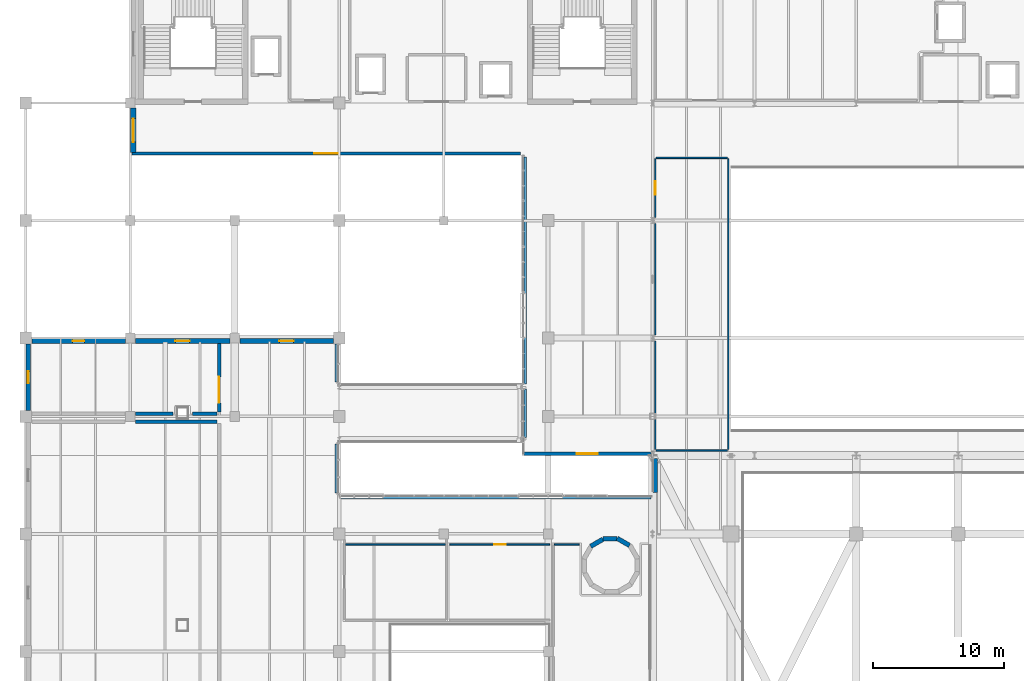
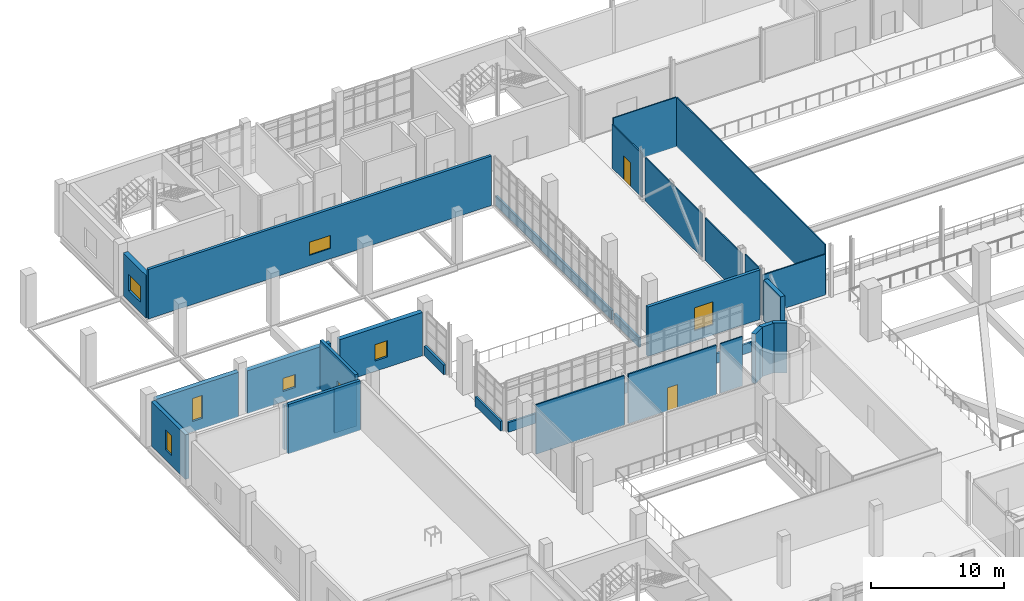
# One storey, part 87 of 100: 30 walls, 7 windows, 3 doors, 10 openings.
"""IFC4 building model written with IfcOpenShell, lengths in metres."""

from ifc_helpers import new_model, si_unit, derived_unit, direction, frame, frame_2d, origin, place, context, subcontext, project, spatial, rectangle, extrude, material, layer, layer_set, type_object, element, fill, save


model = new_model("IFC4")

# Units and contexts
model_context = context("Model", 3, precision=1e-05, world=origin(), true_north=direction((0.0, 1.0)))
body_context = subcontext(model_context, "Body", "Model", "MODEL_VIEW")
ifc_project = project(units=[si_unit("LENGTHUNIT", "METRE"), si_unit("AREAUNIT", "SQUARE_METRE"), si_unit("VOLUMEUNIT", "CUBIC_METRE"), si_unit("PLANEANGLEUNIT", "RADIAN"), si_unit("MASSUNIT", "GRAM", prefix="KILO"), derived_unit("THERMALTRANSMITTANCEUNIT", [(si_unit("POWERUNIT", "WATT"), 1), (si_unit("LENGTHUNIT", "METRE"), -2), (si_unit("THERMODYNAMICTEMPERATUREUNIT", "KELVIN"), -1)])], contexts=[model_context])

# Site, building, storey
site_placement = place(None, origin())
site = spatial("IfcSite", under=ifc_project, at=site_placement, CompositionType="ELEMENT")
building_placement = place(site_placement, origin())
building = spatial("IfcBuilding", under=site, at=building_placement, Name="Nallur Shell Playhouse", CompositionType="ELEMENT")
storey_placement = place(building_placement, frame((0.0, 0.0, 10.199951171875)))
storey = spatial("IfcBuildingStorey", under=building, at=storey_placement, Name="L03", CompositionType="ELEMENT", Elevation=10.199951171875)

# Walls
ifc_material_1 = material(Name="Concrete M45", Category="concrete")
ifc_layer_1 = layer(ifc_material_1, 0.39990234375)
ifc_layer_set_1 = layer_set([ifc_layer_1], Name="Concrete M45")
wall_type_1 = type_object("IfcWallType", Name="WL-CORE-400", PredefinedType="SHEAR", material=ifc_layer_set_1)
for number, where, z_axis, x_axis, name in (
    (1, (62.23291015625, 40.114990234375, 0.0), (0.0, 0.0, 1.0), (-0.866062834654, 0.499935162227, 0.0), "Metabolist service drum DR-1 facet 2 (L03)"),
    (2, (61.283447265625, 40.62841796875, 0.0), (0.0, 0.0, 1.0), (-1.0, 0.0, 0.0), "Metabolist service drum DR-1 facet 3 (L03)"),
    (3, (60.20458984375, 40.598388671875, 0.0), (0.0, 0.0, 1.0), (-0.86611865017, -0.499838457731, 0.0), "Metabolist service drum DR-1 facet 4 (L03)"),
):
    element("IfcWall", number, at=place(storey_placement, frame(where, z_axis=z_axis, x_axis=x_axis)), inside=storey, type_object=wall_type_1, Name=name, PredefinedType="SHEAR", context=body_context, shape_type="SweptSolid", body=[
        extrude(rectangle(XDim=1.093017578125, YDim=0.35009765625, at=frame_2d((0.54638671875, 0.0))), origin(), (0.0, 0.0, 1.0), 4.5400390625),
    ])
ifc_material_2 = material(Name="Concrete M35", Category="concrete")
ifc_layer_2 = layer(ifc_material_2, 0.35009765625)
ifc_layer_set_2 = layer_set([ifc_layer_2], Name="Concrete M35")
wall_type_2 = type_object("IfcWallType", Name="WL-EXT-AC350", PredefinedType="STANDARD", material=ifc_layer_set_2)
wall_1_placement = place(storey_placement, frame((64.195068359375, 44.18505859375, 0.0), z_axis=(0.0, 0.0, 1.0), x_axis=(0.0, 1.0, 0.0)))
element("IfcWall", 4, at=wall_1_placement, inside=storey, type_object=wall_type_2, Name="L03 exterior wall EW-L03-127", PredefinedType="STANDARD", context=body_context, shape_type="SweptSolid", body=[
    extrude(rectangle(XDim=2.58203125, YDim=0.35009765625, at=frame_2d((1.291015625, 0.0))), origin(), (0.0, 0.0, 1.0), 3.72509765625),
])

# Wall, opening, window
ifc_material_3 = material(Name="Precast concrete M40", Category="concrete")
ifc_layer_3 = layer(ifc_material_3, 0.239990234375)
ifc_layer_set_3 = layer_set([ifc_layer_3], Name="Precast concrete M40")
wall_type_3 = type_object("IfcWallType", Name="WL-EXT-CLAD240", PredefinedType="ELEMENTEDWALL", material=ifc_layer_set_3)
wall_2_placement = place(storey_placement, frame((53.8701171875, 70.139892578125, 0.0), z_axis=(0.0, 0.0, 1.0), x_axis=(-1.0, 0.0, 0.0)))
wall_2 = element("IfcWall", 5, at=wall_2_placement, inside=storey, type_object=wall_type_3, Name="L03 exterior wall EW-L03-129", PredefinedType="ELEMENTEDWALL", context=body_context, shape_type="SweptSolid", body=[
    extrude(rectangle(XDim=29.740234375, YDim=0.239990234375, at=frame_2d((14.8701171875, 0.0))), origin(), (0.0, 0.0, 1.0), 4.5400390625),
])
opening_1_placement = place(wall_2_placement, frame((13.969970703125, 0.0, 0.949951171875)))
opening_1 = element("IfcOpeningElement", 6, at=opening_1_placement, cuts=wall_2, Name="Opening WN-21", PredefinedType="OPENING", context=body_context, shape_type="SweptSolid", body=[
    extrude(rectangle(XDim=1.800048828125, YDim=1.199951171875, at=frame_2d((0.89990234375, 0.60009765625))), frame((0.0, 0.1298828125, 0.0), z_axis=(0.0, -1.0, 0.0), x_axis=(1.0, 0.0, 0.0)), (0.0, 0.0, 1.0), 0.260009765625),
])
ifc_material_4 = material(Name="Thermally Broken Aluminium Acoustic Double-Glazed Window", Category="aluminium")
window_type_1 = type_object("IfcWindowType", Name="WN-TYPE-21", PartitioningType="SINGLE_PANEL", PredefinedType="WINDOW", material=ifc_material_4)
window_1_placement = place(opening_1_placement, origin())
window_1 = element("IfcWindow", 7, at=window_1_placement, inside=storey, type_object=window_type_1, Name="L03 facade module window 053", OverallHeight=1.199951171875, OverallWidth=1.800048828125, PartitioningType="SINGLE_PANEL", PredefinedType="WINDOW", context=body_context, shape_type="SweptSolid", body=[
    extrude(rectangle(XDim=1.800048828125, YDim=1.199951171875, at=frame_2d((0.89990234375, 0.60009765625))), frame((0.0, 0.030029296875, 0.0), z_axis=(0.0, -1.0, 0.0), x_axis=(1.0, 0.0, 0.0)), (0.0, 0.0, 1.0), 0.06005859375),
])
fill(opening_1, window_1)

ifc_layer_4 = layer(ifc_material_3, 0.260009765625)
ifc_layer_set_4 = layer_set([ifc_layer_4], Name="Precast concrete M40")
wall_type_4 = type_object("IfcWallType", Name="WL-EXT-CLAD260", PredefinedType="ELEMENTEDWALL", material=ifc_layer_set_4)
wall_3_placement = place(storey_placement, frame((63.8759765625, 47.14990234375, 0.0), z_axis=(0.0, 0.0, 1.0), x_axis=(-1.0, 0.0, 0.0)))
wall_3 = element("IfcWall", 8, at=wall_3_placement, inside=storey, type_object=wall_type_4, Name="L03 exterior wall EW-L03-128", PredefinedType="ELEMENTEDWALL", context=body_context, shape_type="SweptSolid", body=[
    extrude(rectangle(XDim=9.736083984375, YDim=0.260009765625, at=frame_2d((4.8681640625, 0.0))), origin(), (0.0, 0.0, 1.0), 4.5400390625),
])
opening_2_placement = place(wall_3_placement, frame((4.075927734375, 0.0, 0.949951171875)))
opening_2 = element("IfcOpeningElement", 9, at=opening_2_placement, cuts=wall_3, Name="Opening WN-20", PredefinedType="OPENING", context=body_context, shape_type="SweptSolid", body=[
    extrude(rectangle(XDim=1.60009765625, YDim=2.10009765625, at=frame_2d((0.800048828125, 1.050048828125))), frame((0.0, 0.14013671875, 0.0), z_axis=(0.0, -1.0, 0.0), x_axis=(1.0, 0.0, 0.0)), (0.0, 0.0, 1.0), 0.280029296875),
])
window_type_2 = type_object("IfcWindowType", Name="WN-TYPE-20", PartitioningType="SINGLE_PANEL", PredefinedType="WINDOW", material=ifc_material_4)
window_2_placement = place(opening_2_placement, origin())
window_2 = element("IfcWindow", 10, at=window_2_placement, inside=storey, type_object=window_type_2, Name="L03 facade module window 052", OverallHeight=2.10009765625, OverallWidth=1.60009765625, PartitioningType="SINGLE_PANEL", PredefinedType="WINDOW", context=body_context, shape_type="SweptSolid", body=[
    extrude(rectangle(XDim=1.60009765625, YDim=2.10009765625, at=frame_2d((0.800048828125, 1.050048828125))), frame((0.0, 0.030029296875, 0.0), z_axis=(0.0, -1.0, 0.0), x_axis=(1.0, 0.0, 0.0)), (0.0, 0.0, 1.0), 0.06005859375),
])
fill(opening_2, window_2)

ifc_layer_5 = layer(ifc_material_2, 0.320068359375)
ifc_layer_set_5 = layer_set([ifc_layer_5], Name="Concrete M35")
wall_type_5 = type_object("IfcWallType", Name="WL-EXT-RC320", PredefinedType="STANDARD", material=ifc_layer_set_5)
wall_4_placement = place(storey_placement, frame((16.179931640625, 50.4580078125, 0.0), z_axis=(0.0, 0.0, 1.0), x_axis=(0.0, 1.0, 0.0)))
wall_4 = element("IfcWall", 11, at=wall_4_placement, inside=storey, type_object=wall_type_5, Name="L03 exterior wall EW-L03-165", PredefinedType="STANDARD", context=body_context, shape_type="SweptSolid", body=[
    extrude(rectangle(XDim=5.083984375, YDim=0.320068359375, at=frame_2d((2.5419921875, 0.0))), origin(), (0.0, 0.0, 1.0), 4.074951171875),
])
opening_3_placement = place(wall_4_placement, frame((2.092041015625, 0.0, 0.949951171875)))
opening_3 = element("IfcOpeningElement", 12, at=opening_3_placement, cuts=wall_4, Name="Opening WN-03", PredefinedType="OPENING", context=body_context, shape_type="SweptSolid", body=[
    extrude(rectangle(XDim=0.89990234375, YDim=1.800048828125, at=frame_2d((0.449951171875, 0.89990234375))), frame((0.0, 0.169921875, 0.0), z_axis=(0.0, -1.0, 0.0), x_axis=(1.0, 0.0, 0.0)), (0.0, 0.0, 1.0), 0.340087890625),
])
window_type_3 = type_object("IfcWindowType", Name="WN-TYPE-03", PartitioningType="SINGLE_PANEL", PredefinedType="WINDOW", material=ifc_material_4)
window_3_placement = place(opening_3_placement, origin())
window_3 = element("IfcWindow", 13, at=window_3_placement, inside=storey, type_object=window_type_3, Name="L03 facade module window 067", OverallHeight=1.800048828125, OverallWidth=0.89990234375, PartitioningType="SINGLE_PANEL", PredefinedType="WINDOW", context=body_context, shape_type="SweptSolid", body=[
    extrude(rectangle(XDim=0.89990234375, YDim=1.800048828125, at=frame_2d((0.449951171875, 0.89990234375))), frame((0.0, 0.030029296875, 0.0), z_axis=(0.0, -1.0, 0.0), x_axis=(1.0, 0.0, 0.0)), (0.0, 0.0, 1.0), 0.06005859375),
])
fill(opening_3, window_3)

ifc_material_5 = material(Name="Concrete M40", Category="concrete")
ifc_layer_6 = layer(ifc_material_5, 0.39990234375)
ifc_layer_set_6 = layer_set([ifc_layer_6], Name="Concrete M40")
wall_type_6 = type_object("IfcWallType", Name="WL-EXT-RC400", PredefinedType="STANDARD", material=ifc_layer_set_6)
wall_5_placement = place(storey_placement, frame((24.219970703125, 70.2099609375, 0.0), z_axis=(0.0, 0.0, 1.0), x_axis=(0.0, 1.0, 0.0)))
wall_5 = element("IfcWall", 14, at=wall_5_placement, inside=storey, type_object=wall_type_6, Name="L03 exterior wall EW-L03-130", PredefinedType="STANDARD", context=body_context, shape_type="SweptSolid", body=[
    extrude(rectangle(XDim=3.406982421875, YDim=0.39990234375, at=frame_2d((1.70361328125, 0.0))), origin(), (0.0, 0.0, 1.0), 3.925048828125),
])
opening_4_placement = place(wall_5_placement, frame((0.803955078125, 0.0, 0.949951171875)))
opening_4 = element("IfcOpeningElement", 15, at=opening_4_placement, cuts=wall_5, Name="Opening WN-22", PredefinedType="OPENING", context=body_context, shape_type="SweptSolid", body=[
    extrude(rectangle(XDim=1.800048828125, YDim=1.5, at=frame_2d((0.89990234375, 0.75))), frame((0.0, 0.2099609375, 0.0), z_axis=(0.0, -1.0, 0.0), x_axis=(1.0, 0.0, 0.0)), (0.0, 0.0, 1.0), 0.419921875),
])
window_type_4 = type_object("IfcWindowType", Name="WN-TYPE-22", PartitioningType="SINGLE_PANEL", PredefinedType="WINDOW", material=ifc_material_4)
window_4_placement = place(opening_4_placement, origin())
window_4 = element("IfcWindow", 16, at=window_4_placement, inside=storey, type_object=window_type_4, Name="L03 facade module window 054", OverallHeight=1.5, OverallWidth=1.800048828125, PartitioningType="SINGLE_PANEL", PredefinedType="WINDOW", context=body_context, shape_type="SweptSolid", body=[
    extrude(rectangle(XDim=1.800048828125, YDim=1.5, at=frame_2d((0.89990234375, 0.75))), frame((0.0, 0.030029296875, 0.0), z_axis=(0.0, -1.0, 0.0), x_axis=(1.0, 0.0, 0.0)), (0.0, 0.0, 1.0), 0.06005859375),
])
fill(opening_4, window_4)

wall_6_placement = place(storey_placement, frame((16.4580078125, 55.780029296875, 0.0), z_axis=(0.0, 0.0, 1.0), x_axis=(1.0, 0.0, 0.0)))
wall_6 = element("IfcWall", 17, at=wall_6_placement, inside=storey, type_object=wall_type_6, Name="L03 exterior wall EW-L03-166", PredefinedType="STANDARD", context=body_context, shape_type="SweptSolid", body=[
    extrude(rectangle(XDim=7.158935546875, YDim=0.39990234375, at=frame_2d((3.57958984375, 0.0))), origin(), (0.0, 0.0, 1.0), 4.074951171875),
])
opening_5_placement = place(wall_6_placement, frame((3.1298828125, 0.0, 0.949951171875)))
opening_5 = element("IfcOpeningElement", 18, at=opening_5_placement, cuts=wall_6, Name="Opening WN-04", PredefinedType="OPENING", context=body_context, shape_type="SweptSolid", body=[
    extrude(rectangle(XDim=0.89990234375, YDim=2.10009765625, at=frame_2d((0.449951171875, 1.050048828125))), frame((0.0, 0.2099609375, 0.0), z_axis=(0.0, -1.0, 0.0), x_axis=(1.0, 0.0, 0.0)), (0.0, 0.0, 1.0), 0.419921875),
])
window_type_5 = type_object("IfcWindowType", Name="WN-TYPE-04", PartitioningType="SINGLE_PANEL", PredefinedType="WINDOW", material=ifc_material_4)
window_5_placement = place(opening_5_placement, origin())
window_5 = element("IfcWindow", 19, at=window_5_placement, inside=storey, type_object=window_type_5, Name="L03 facade module window 068", OverallHeight=2.10009765625, OverallWidth=0.89990234375, PartitioningType="SINGLE_PANEL", PredefinedType="WINDOW", context=body_context, shape_type="SweptSolid", body=[
    extrude(rectangle(XDim=0.89990234375, YDim=2.10009765625, at=frame_2d((0.449951171875, 1.050048828125))), frame((0.0, 0.030029296875, 0.0), z_axis=(0.0, -1.0, 0.0), x_axis=(1.0, 0.0, 0.0)), (0.0, 0.0, 1.0), 0.06005859375),
])
fill(opening_5, window_5)

wall_7_placement = place(storey_placement, frame((24.383056640625, 55.780029296875, 0.0), z_axis=(0.0, 0.0, 1.0), x_axis=(1.0, 0.0, 0.0)))
wall_7 = element("IfcWall", 20, at=wall_7_placement, inside=storey, type_object=wall_type_6, Name="L03 exterior wall EW-L03-167", PredefinedType="STANDARD", context=body_context, shape_type="SweptSolid", body=[
    extrude(rectangle(XDim=7.23388671875, YDim=0.39990234375, at=frame_2d((3.616943359375, 0.0))), origin(), (0.0, 0.0, 1.0), 3.925048828125),
])
opening_6_placement = place(wall_7_placement, frame((3.06689453125, 0.0, 0.949951171875)))
opening_6 = element("IfcOpeningElement", 21, at=opening_6_placement, cuts=wall_7, Name="Opening WN-05", PredefinedType="OPENING", context=body_context, shape_type="SweptSolid", body=[
    extrude(rectangle(XDim=1.10009765625, YDim=1.199951171875, at=frame_2d((0.550048828125, 0.60009765625))), frame((0.0, 0.2099609375, 0.0), z_axis=(0.0, -1.0, 0.0), x_axis=(1.0, 0.0, 0.0)), (0.0, 0.0, 1.0), 0.419921875),
])
window_type_6 = type_object("IfcWindowType", Name="WN-TYPE-05", PartitioningType="SINGLE_PANEL", PredefinedType="WINDOW", material=ifc_material_4)
window_6_placement = place(opening_6_placement, origin())
window_6 = element("IfcWindow", 22, at=window_6_placement, inside=storey, type_object=window_type_6, Name="L03 facade module window 069", OverallHeight=1.199951171875, OverallWidth=1.10009765625, PartitioningType="SINGLE_PANEL", PredefinedType="WINDOW", context=body_context, shape_type="SweptSolid", body=[
    extrude(rectangle(XDim=1.10009765625, YDim=1.199951171875, at=frame_2d((0.550048828125, 0.60009765625))), frame((0.0, 0.030029296875, 0.0), z_axis=(0.0, -1.0, 0.0), x_axis=(1.0, 0.0, 0.0)), (0.0, 0.0, 1.0), 0.06005859375),
])
fill(opening_6, window_6)

wall_8_placement = place(storey_placement, frame((32.383056640625, 55.780029296875, 0.0), z_axis=(0.0, 0.0, 1.0), x_axis=(1.0, 0.0, 0.0)))
wall_8 = element("IfcWall", 23, at=wall_8_placement, inside=storey, type_object=wall_type_6, Name="L03 exterior wall EW-L03-168", PredefinedType="STANDARD", context=body_context, shape_type="SweptSolid", body=[
    extrude(rectangle(XDim=7.158935546875, YDim=0.39990234375, at=frame_2d((3.57958984375, 0.0))), origin(), (0.0, 0.0, 1.0), 3.97509765625),
])
opening_7_placement = place(wall_8_placement, frame((3.029052734375, 0.0, 0.949951171875)))
opening_7 = element("IfcOpeningElement", 24, at=opening_7_placement, cuts=wall_8, Name="Opening WN-06", PredefinedType="OPENING", context=body_context, shape_type="SweptSolid", body=[
    extrude(rectangle(XDim=1.10009765625, YDim=1.5, at=frame_2d((0.550048828125, 0.75))), frame((0.0, 0.2099609375, 0.0), z_axis=(0.0, -1.0, 0.0), x_axis=(1.0, 0.0, 0.0)), (0.0, 0.0, 1.0), 0.419921875),
])
window_type_7 = type_object("IfcWindowType", Name="WN-TYPE-06", PartitioningType="SINGLE_PANEL", PredefinedType="WINDOW", material=ifc_material_4)
window_7_placement = place(opening_7_placement, origin())
window_7 = element("IfcWindow", 25, at=window_7_placement, inside=storey, type_object=window_type_7, Name="L03 facade module window 070", OverallHeight=1.5, OverallWidth=1.10009765625, PartitioningType="SINGLE_PANEL", PredefinedType="WINDOW", context=body_context, shape_type="SweptSolid", body=[
    extrude(rectangle(XDim=1.10009765625, YDim=1.5, at=frame_2d((0.550048828125, 0.75))), frame((0.0, 0.030029296875, 0.0), z_axis=(0.0, -1.0, 0.0), x_axis=(1.0, 0.0, 0.0)), (0.0, 0.0, 1.0), 0.06005859375),
])
fill(opening_7, window_7)

# Walls
ifc_layer_7 = layer(ifc_material_2, 0.179931640625)
ifc_layer_set_7 = layer_set([ifc_layer_7], Name="Concrete M35")
wall_type_7 = type_object("IfcWallType", Name="WL-PARAPET-180", PredefinedType="PARAPET", material=ifc_layer_set_7)
wall_9_placement = place(storey_placement, frame((39.760009765625, 47.8798828125, 0.0), z_axis=(0.0, 0.0, 1.0), x_axis=(0.0, -1.0, 0.0)))
element("IfcWall", 26, at=wall_9_placement, inside=storey, type_object=wall_type_7, Name="L03 curtain-wall internal spandrel upstand 029", PredefinedType="PARAPET", context=body_context, shape_type="SweptSolid", body=[
    extrude(rectangle(XDim=3.759765625, YDim=0.179931640625, at=frame_2d((1.8798828125, 0.0))), origin(), (0.0, 0.0, 1.0), 0.880126953125),
])
wall_10_placement = place(storey_placement, frame((40.1201171875, 43.760009765625, 0.0), z_axis=(0.0, 0.0, 1.0), x_axis=(1.0, 0.0, 0.0)))
element("IfcWall", 27, at=wall_10_placement, inside=storey, type_object=wall_type_7, Name="L03 curtain-wall internal spandrel upstand 030", PredefinedType="PARAPET", context=body_context, shape_type="SweptSolid", body=[
    extrude(rectangle(XDim=23.759765625, YDim=0.179931640625, at=frame_2d((11.8798828125, 0.0))), origin(), (0.0, 0.0, 1.0), 0.880126953125),
])
wall_11_placement = place(storey_placement, frame((54.239990234375, 48.385009765625, 0.0), z_axis=(0.0, 0.0, 1.0), x_axis=(0.0, 1.0, 0.0)))
element("IfcWall", 28, at=wall_11_placement, inside=storey, type_object=wall_type_7, Name="L03 curtain-wall internal spandrel upstand 031", PredefinedType="PARAPET", context=body_context, shape_type="SweptSolid", body=[
    extrude(rectangle(XDim=3.72998046875, YDim=0.179931640625, at=frame_2d((1.864990234375, 0.0))), origin(), (0.0, 0.0, 1.0), 0.880126953125),
])
wall_12_placement = place(storey_placement, frame((54.239990234375, 52.485107421875, 0.0), z_axis=(0.0, 0.0, 1.0), x_axis=(0.0, 1.0, 0.0)))
element("IfcWall", 29, at=wall_12_placement, inside=storey, type_object=wall_type_7, Name="L03 curtain-wall internal spandrel upstand 032", PredefinedType="PARAPET", context=body_context, shape_type="SweptSolid", body=[
    extrude(rectangle(XDim=17.394775390625, YDim=0.179931640625, at=frame_2d((8.697265625, 0.0))), origin(), (0.0, 0.0, 1.0), 0.880126953125),
])
wall_13_placement = place(storey_placement, frame((39.760009765625, 55.5400390625, 0.0), z_axis=(0.0, 0.0, 1.0), x_axis=(0.0, -1.0, 0.0)))
element("IfcWall", 30, at=wall_13_placement, inside=storey, type_object=wall_type_7, Name="L03 curtain-wall internal spandrel upstand 043", PredefinedType="PARAPET", context=body_context, shape_type="SweptSolid", body=[
    extrude(rectangle(XDim=2.919921875, YDim=0.179931640625, at=frame_2d((1.4599609375, 0.0))), origin(), (0.0, 0.0, 1.0), 0.880126953125),
])
ifc_material_6 = material(Name="Concrete M30", Category="concrete")
ifc_layer_8 = layer(ifc_material_6, 0.25)
ifc_layer_set_8 = layer_set([ifc_layer_8], Name="Concrete M30")
wall_type_8 = type_object("IfcWallType", Name="WL-PART-AC250", PredefinedType="PARTITIONING", material=ifc_layer_set_8)
wall_14_placement = place(storey_placement, frame((24.389892578125, 49.60009765625, 0.0), z_axis=(0.0, 0.0, 1.0), x_axis=(1.0, 0.0, 0.0)))
element("IfcWall", 31, at=wall_14_placement, inside=storey, type_object=wall_type_8, Name="200-Seat Flexible Black-Box Experimental Theatre partition IW-L03-0217", PredefinedType="PARTITIONING", context=body_context, shape_type="SweptSolid", body=[
    extrude(rectangle(XDim=6.26513671875, YDim=0.25, at=frame_2d((3.132568359375, 0.0))), origin(), (0.0, 0.0, 1.0), 4.530029296875),
])

# Wall, opening, door
wall_15_placement = place(storey_placement, frame((30.800048828125, 55.575927734375, 0.0), z_axis=(0.0, 0.0, 1.0), x_axis=(0.0, -1.0, 0.0)))
wall_15 = element("IfcWall", 32, at=wall_15_placement, inside=storey, type_object=wall_type_8, Name="Black-Box Rostra & Rigging Store partition IW-L03-0221", PredefinedType="PARTITIONING", context=body_context, shape_type="SweptSolid", body=[
    extrude(rectangle(XDim=5.23095703125, YDim=0.25, at=frame_2d((2.615478515625, 0.0))), origin(), (0.0, 0.0, 1.0), 4.530029296875),
])
opening_8_placement = place(wall_15_placement, frame((2.547119140625, 0.0, 0.0)))
opening_8 = element("IfcOpeningElement", 33, at=opening_8_placement, cuts=wall_15, Name="Opening AD-01", PredefinedType="OPENING", context=body_context, shape_type="SweptSolid", body=[
    extrude(rectangle(XDim=2.0, YDim=2.35009765625, at=frame_2d((1.0, 1.175048828125))), frame((0.0, 0.135009765625, 0.0), z_axis=(0.0, -1.0, 0.0), x_axis=(1.0, 0.0, 0.0)), (0.0, 0.0, 1.0), 0.27001953125),
])
ifc_material_7 = material(Name="Acoustic Timber Sound-Lock Double Door", Category="wood")
door_type_1 = type_object("IfcDoorType", Name="DR-INT-AUD-DBL", OperationType="DOUBLE_SWING_LEFT", PredefinedType="DOOR", material=ifc_material_7)
door_1_placement = place(opening_8_placement, origin())
door_1 = element("IfcDoor", 34, at=door_1_placement, inside=storey, type_object=door_type_1, Name="Black-Box Rostra & Rigging Store door 1", OperationType="DOUBLE_SWING_LEFT", OverallHeight=2.35009765625, OverallWidth=2.0, PredefinedType="DOOR", context=body_context, shape_type="SweptSolid", body=[
    extrude(rectangle(XDim=2.0, YDim=2.35009765625, at=frame_2d((1.0, 1.175048828125))), frame((0.0, 0.02490234375, 0.0), z_axis=(0.0, -1.0, 0.0), x_axis=(1.0, 0.0, 0.0)), (0.0, 0.0, 1.0), 0.050048828125),
])
fill(opening_8, door_1)

# Walls
wall_16_placement = place(storey_placement, frame((30.655029296875, 50.199951171875, 0.0), z_axis=(0.0, 0.0, 1.0), x_axis=(-1.0, 0.0, 0.0)))
element("IfcWall", 35, at=wall_16_placement, inside=storey, type_object=wall_type_8, Name="Black-Box Rostra & Rigging Store partition IW-L03-0222", PredefinedType="PARTITIONING", context=body_context, shape_type="SweptSolid", body=[
    extrude(rectangle(XDim=1.909912109375, YDim=0.25, at=frame_2d((0.955078125, 0.0))), origin(), (0.0, 0.0, 1.0), 4.070068359375),
])
wall_17_placement = place(storey_placement, frame((27.2548828125, 50.199951171875, 0.0), z_axis=(0.0, 0.0, 1.0), x_axis=(-1.0, 0.0, 0.0)))
element("IfcWall", 36, at=wall_17_placement, inside=storey, type_object=wall_type_8, Name="Black-Box Rostra & Rigging Store partition IW-L03-0223", PredefinedType="PARTITIONING", context=body_context, shape_type="SweptSolid", body=[
    extrude(rectangle(XDim=2.864990234375, YDim=0.25, at=frame_2d((1.4326171875, 0.0))), origin(), (0.0, 0.0, 1.0), 4.070068359375),
])
ifc_material_8 = material(Name="Double-Layer Fire-Rated Gypsum Stud Partition")
ifc_layer_9 = layer(ifc_material_8, 0.10009765625)
ifc_layer_set_9 = layer_set([ifc_layer_9], Name="Double-Layer Fire-Rated Gypsum Stud Partition")
wall_type_9 = type_object("IfcWallType", Name="WL-PART-DRY100", PredefinedType="PARTITIONING", material=ifc_layer_set_9)
wall_18_placement = place(storey_placement, frame((56.469970703125, 40.199951171875, 0.0), z_axis=(0.0, 0.0, 1.0), x_axis=(1.0, 0.0, 0.0)))
element("IfcWall", 37, at=wall_18_placement, inside=storey, type_object=wall_type_9, Name="Dress Circle Lounge Bar partition IW-L03-0234", PredefinedType="PARTITIONING", context=body_context, shape_type="SweptSolid", body=[
    extrude(rectangle(XDim=1.909912109375, YDim=0.10009765625, at=frame_2d((0.955078125, 0.0))), origin(), (0.0, 0.0, 1.0), 4.530029296875),
])
wall_19_placement = place(storey_placement, frame((64.27001953125, 69.800048828125, 0.0), z_axis=(0.0, 0.0, 1.0), x_axis=(1.0, 0.0, 0.0)))
element("IfcWall", 38, at=wall_19_placement, inside=storey, type_object=wall_type_9, Name="Stage Fly Gallery & Counterweight Lock Deck partition IW-L03-0243", PredefinedType="PARTITIONING", context=body_context, shape_type="SweptSolid", body=[
    extrude(rectangle(XDim=5.4599609375, YDim=0.10009765625, at=frame_2d((2.72998046875, 0.0))), origin(), (0.0, 0.0, 1.0), 4.530029296875),
])
wall_20_placement = place(storey_placement, frame((69.800048828125, 69.72998046875, 0.0), z_axis=(0.0, 0.0, 1.0), x_axis=(0.0, -1.0, 0.0)))
element("IfcWall", 39, at=wall_20_placement, inside=storey, type_object=wall_type_9, Name="Stage Fly Gallery & Counterweight Lock Deck partition IW-L03-0244", PredefinedType="PARTITIONING", context=body_context, shape_type="SweptSolid", body=[
    extrude(rectangle(XDim=22.260009765625, YDim=0.10009765625, at=frame_2d((11.1298828125, 0.0))), origin(), (0.0, 0.0, 1.0), 4.530029296875),
])
wall_21_placement = place(storey_placement, frame((69.72998046875, 47.39990234375, 0.0), z_axis=(0.0, 0.0, 1.0), x_axis=(-1.0, 0.0, 0.0)))
element("IfcWall", 40, at=wall_21_placement, inside=storey, type_object=wall_type_9, Name="Stage Fly Gallery & Counterweight Lock Deck partition IW-L03-0245", PredefinedType="PARTITIONING", context=body_context, shape_type="SweptSolid", body=[
    extrude(rectangle(XDim=5.4599609375, YDim=0.10009765625, at=frame_2d((2.72998046875, 0.0))), origin(), (0.0, 0.0, 1.0), 3.719970703125),
])
wall_22_placement = place(storey_placement, frame((64.199951171875, 47.469970703125, 0.0), z_axis=(0.0, 0.0, 1.0), x_axis=(0.0, 1.0, 0.0)))
element("IfcWall", 41, at=wall_22_placement, inside=storey, type_object=wall_type_9, Name="Stage Fly Gallery & Counterweight Lock Deck partition IW-L03-0246", PredefinedType="PARTITIONING", context=body_context, shape_type="SweptSolid", body=[
    extrude(rectangle(XDim=2.2900390625, YDim=0.10009765625, at=frame_2d((1.14501953125, 0.0))), origin(), (0.0, 0.0, 1.0), 4.219970703125),
])
wall_23_placement = place(storey_placement, frame((64.199951171875, 50.239990234375, 0.0), z_axis=(0.0, 0.0, 1.0), x_axis=(0.0, 1.0, 0.0)))
element("IfcWall", 42, at=wall_23_placement, inside=storey, type_object=wall_type_9, Name="Stage Fly Gallery & Counterweight Lock Deck partition IW-L03-0247", PredefinedType="PARTITIONING", context=body_context, shape_type="SweptSolid", body=[
    extrude(rectangle(XDim=5.52001953125, YDim=0.10009765625, at=frame_2d((2.760009765625, 0.0))), origin(), (0.0, 0.0, 1.0), 3.920166015625),
])
wall_24_placement = place(storey_placement, frame((64.199951171875, 56.239990234375, 0.0), z_axis=(0.0, 0.0, 1.0), x_axis=(0.0, 1.0, 0.0)))
element("IfcWall", 43, at=wall_24_placement, inside=storey, type_object=wall_type_9, Name="Stage Fly Gallery & Counterweight Lock Deck partition IW-L03-0248", PredefinedType="PARTITIONING", context=body_context, shape_type="SweptSolid", body=[
    extrude(rectangle(XDim=8.52001953125, YDim=0.10009765625, at=frame_2d((4.260009765625, 0.0))), origin(), (0.0, 0.0, 1.0), 3.969970703125),
])

# Wall, opening, door
wall_25_placement = place(storey_placement, frame((64.199951171875, 65.239990234375, 0.0), z_axis=(0.0, 0.0, 1.0), x_axis=(0.0, 1.0, 0.0)))
wall_25 = element("IfcWall", 44, at=wall_25_placement, inside=storey, type_object=wall_type_9, Name="Stage Fly Gallery & Counterweight Lock Deck partition IW-L03-0249", PredefinedType="PARTITIONING", context=body_context, shape_type="SweptSolid", body=[
    extrude(rectangle(XDim=4.489990234375, YDim=0.10009765625, at=frame_2d((2.2451171875, 0.0))), origin(), (0.0, 0.0, 1.0), 4.02001953125),
])
opening_9_placement = place(wall_25_placement, frame((1.719970703125, 0.0, 0.0)))
opening_9 = element("IfcOpeningElement", 45, at=opening_9_placement, cuts=wall_25, Name="Opening ID-02", PredefinedType="OPENING", context=body_context, shape_type="SweptSolid", body=[
    extrude(rectangle(XDim=1.050048828125, YDim=2.14990234375, at=frame_2d((0.52490234375, 1.074951171875))), frame((0.0, 0.06005859375, 0.0), z_axis=(0.0, -1.0, 0.0), x_axis=(1.0, 0.0, 0.0)), (0.0, 0.0, 1.0), 0.1201171875),
])
ifc_material_9 = material(Name="Solid-Core Engineered Timber Fire Door", Category="wood")
door_type_2 = type_object("IfcDoorType", Name="DR-INT-SGL1050R", OperationType="SINGLE_SWING_RIGHT", PredefinedType="DOOR", material=ifc_material_9)
door_2_placement = place(opening_9_placement, origin())
door_2 = element("IfcDoor", 46, at=door_2_placement, inside=storey, type_object=door_type_2, Name="Stage Fly Gallery & Counterweight Lock Deck door 1", OperationType="SINGLE_SWING_RIGHT", OverallHeight=2.14990234375, OverallWidth=1.050048828125, PredefinedType="DOOR", context=body_context, shape_type="SweptSolid", body=[
    extrude(rectangle(XDim=1.050048828125, YDim=2.14990234375, at=frame_2d((0.52490234375, 1.074951171875))), frame((0.0, 0.02490234375, 0.0), z_axis=(0.0, -1.0, 0.0), x_axis=(1.0, 0.0, 0.0)), (0.0, 0.0, 1.0), 0.050048828125),
])
fill(opening_9, door_2)

# Wall
ifc_material_10 = material(Name="Concrete M25 Fire Blockwork", Category="masonry")
ifc_layer_10 = layer(ifc_material_10, 0.1201171875)
ifc_layer_set_10 = layer_set([ifc_layer_10], Name="Concrete M25 Fire Blockwork")
wall_type_10 = type_object("IfcWallType", Name="WL-PART-WET120", PredefinedType="PARTITIONING", material=ifc_layer_set_10)
wall_26_placement = place(storey_placement, frame((40.47998046875, 40.199951171875, 0.0), z_axis=(0.0, 0.0, 1.0), x_axis=(1.0, 0.0, 0.0)))
element("IfcWall", 47, at=wall_26_placement, inside=storey, type_object=wall_type_10, Name="Dress Circle Male Restroom partition IW-L03-0261", PredefinedType="PARTITIONING", context=body_context, shape_type="SweptSolid", body=[
    extrude(rectangle(XDim=7.64013671875, YDim=0.1201171875, at=frame_2d((3.820068359375, 0.0))), origin(), (0.0, 0.0, 1.0), 4.530029296875),
])

# Wall, opening, door
wall_27_placement = place(storey_placement, frame((48.47998046875, 40.199951171875, 0.0), z_axis=(0.0, 0.0, 1.0), x_axis=(1.0, 0.0, 0.0)))
wall_27 = element("IfcWall", 48, at=wall_27_placement, inside=storey, type_object=wall_type_10, Name="Dress Circle Female Restroom partition IW-L03-0265", PredefinedType="PARTITIONING", context=body_context, shape_type="SweptSolid", body=[
    extrude(rectangle(XDim=7.64013671875, YDim=0.1201171875, at=frame_2d((3.820068359375, 0.0))), origin(), (0.0, 0.0, 1.0), 4.530029296875),
])
opening_10_placement = place(wall_27_placement, frame((3.3798828125, 0.0, 0.0)))
opening_10 = element("IfcOpeningElement", 49, at=opening_10_placement, cuts=wall_27, Name="Opening WD-01", PredefinedType="OPENING", context=body_context, shape_type="SweptSolid", body=[
    extrude(rectangle(XDim=0.8798828125, YDim=2.10009765625, at=frame_2d((0.43994140625, 1.050048828125))), frame((0.0, 0.070068359375, 0.0), z_axis=(0.0, -1.0, 0.0), x_axis=(1.0, 0.0, 0.0)), (0.0, 0.0, 1.0), 0.14013671875),
])
ifc_material_11 = material(Name="Moisture-Resistant Laminate Restroom Door")
door_type_3 = type_object("IfcDoorType", Name="DR-INT-WC880L", OperationType="SINGLE_SWING_LEFT", PredefinedType="DOOR", material=ifc_material_11)
door_3_placement = place(opening_10_placement, origin())
door_3 = element("IfcDoor", 50, at=door_3_placement, inside=storey, type_object=door_type_3, Name="Dress Circle Female Restroom door 1", OperationType="SINGLE_SWING_LEFT", OverallHeight=2.10009765625, OverallWidth=0.8798828125, PredefinedType="DOOR", context=body_context, shape_type="SweptSolid", body=[
    extrude(rectangle(XDim=0.8798828125, YDim=2.10009765625, at=frame_2d((0.43994140625, 1.050048828125))), frame((0.0, 0.02490234375, 0.0), z_axis=(0.0, -1.0, 0.0), x_axis=(1.0, 0.0, 0.0)), (0.0, 0.0, 1.0), 0.050048828125),
])
fill(opening_10, door_3)

save(model, "model.ifc")
